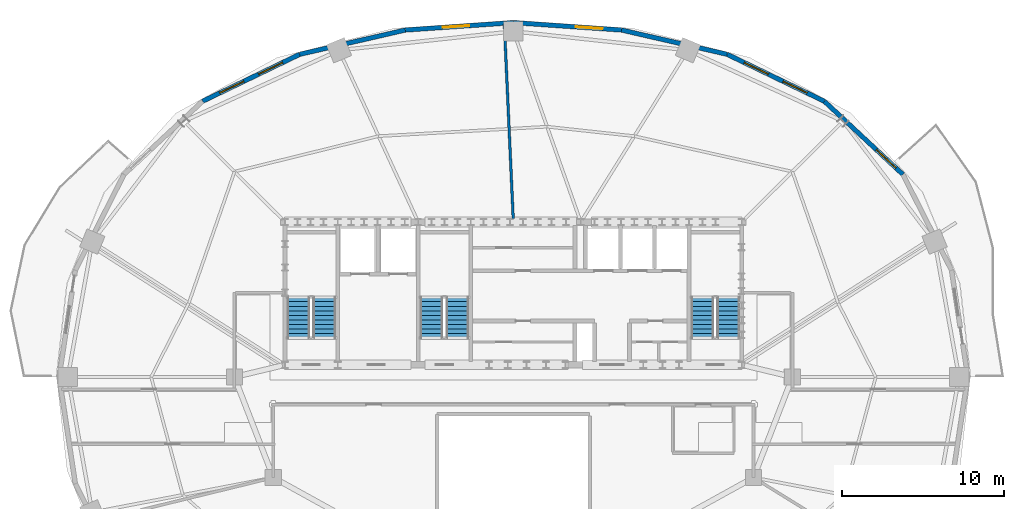
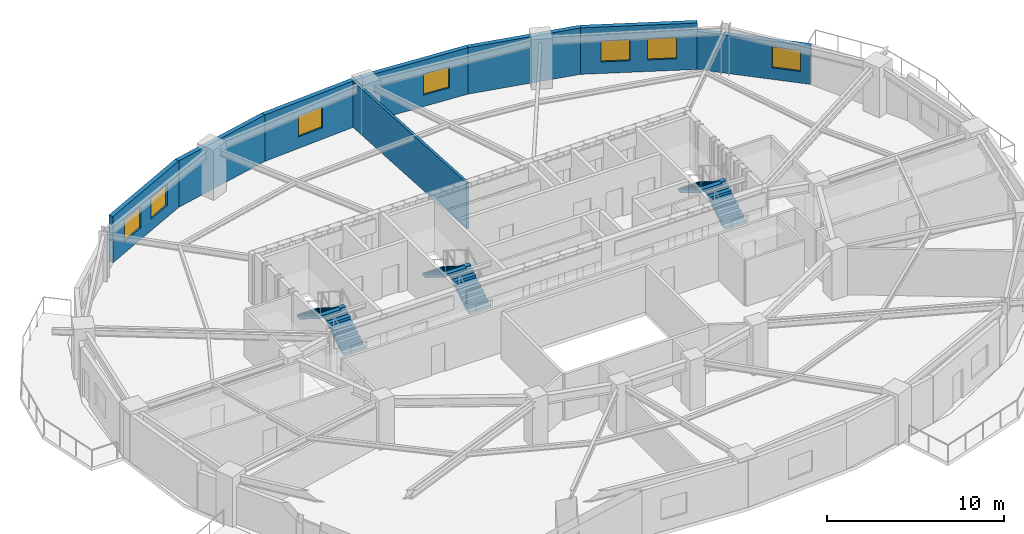
# One storey, part 6 of 11: 8 walls, 7 windows, 6 stair flights, 7 openings, 3 elements without a shape of their own.
"""IFC4 building model written with IfcOpenShell, lengths in metres."""

from ifc_helpers import new_model, si_unit, direction, frame, frame_2d, origin, place, context, subcontext, project, spatial, polyline, rectangle, outline, extrude, material, layer, layer_set, type_object, element, fill, aggregate, save


model = new_model("IFC4")

# Units and contexts
model_context = context("Model", 3, precision=1e-05, world=origin(), true_north=direction((0.0, 1.0)))
body_context = subcontext(model_context, "Body", "Model", "MODEL_VIEW")
ifc_project = project(units=[si_unit("LENGTHUNIT", "METRE"), si_unit("AREAUNIT", "SQUARE_METRE"), si_unit("VOLUMEUNIT", "CUBIC_METRE"), si_unit("PLANEANGLEUNIT", "RADIAN"), si_unit("MASSUNIT", "GRAM", prefix="KILO")], contexts=[model_context])

# Site, building, storey
site_placement = place(None, origin())
site = spatial("IfcSite", under=ifc_project, at=site_placement, CompositionType="ELEMENT")
building_placement = place(site_placement, origin())
building = spatial("IfcBuilding", under=site, at=building_placement, Name="Haldorwick Loom Tower", CompositionType="ELEMENT")
storey_placement = place(building_placement, frame((0.0, 0.0, 215.199951171875)))
storey = spatial("IfcBuildingStorey", under=building, at=storey_placement, Name="L58", CompositionType="ELEMENT", Elevation=215.199951171875)

# Wall, opening, window
ifc_material_1 = material(Name="Pressed Clay Face Brick and Insulated Masonry Backup Assembly", Category="masonry")
ifc_layer_1 = layer(ifc_material_1, 0.280029296875, Name="Pressed Clay Face Brick and Insulated Masonry Backup Assembly", Category="masonry")
ifc_layer_set_1 = layer_set([ifc_layer_1], Name="Pressed Clay Face Brick and Insulated Masonry Backup Assembly")
wall_type_1 = type_object("IfcWallType", Name="ARC-WL-EXT280", PredefinedType="STANDARD", material=ifc_layer_set_1)
wall_1_placement = place(storey_placement, frame((60.005615234375, 38.4853515625, 0.0), z_axis=(0.0, 0.0, 1.0), x_axis=(-0.731833707499, 0.681483253329, 0.0)))
wall_1 = element("IfcWall", 1, at=wall_1_placement, inside=storey, type_object=wall_type_1, Name="L58 Brick Pier and Spandrel Wall 3", PredefinedType="STANDARD", context=body_context, shape_type="SweptSolid", body=[
    extrude(rectangle(XDim=6.61865234375, YDim=0.280029296875, at=frame_2d((3.309326171875, 0.0))), origin(), (0.0, 0.0, 1.0), 2.64111328125),
])
opening_1_placement = place(wall_1_placement, frame((0.58154296875, 0.0, 0.800048828125)))
opening_1 = element("IfcOpeningElement", 2, at=opening_1_placement, cuts=wall_1, Name="Opening W-01B", PredefinedType="OPENING", context=body_context, shape_type="SweptSolid", body=[
    extrude(rectangle(XDim=1.64990234375, YDim=1.449951171875, at=frame_2d((0.824951171875, 0.72509765625))), frame((0.0, 0.14990234375, 0.0), z_axis=(0.0, -1.0, 0.0), x_axis=(1.0, 0.0, 0.0)), (0.0, 0.0, 1.0), 0.300048828125),
])
ifc_material_2 = material(Name="Triple-Glazed Low-E Argon Insulated Glazing Unit", Category="glass")
window_type = type_object("IfcWindowType", Name="ARC-WIN-W165", PartitioningType="SINGLE_PANEL", PredefinedType="WINDOW", material=ifc_material_2)
window_1_placement = place(opening_1_placement, origin())
window_1 = element("IfcWindow", 3, at=window_1_placement, inside=storey, type_object=window_type, Name="L58 Deep-Set Zone 7A Window 3", OverallHeight=1.449951171875, OverallWidth=1.64990234375, PartitioningType="SINGLE_PANEL", PredefinedType="WINDOW", context=body_context, shape_type="SweptSolid", body=[
    extrude(rectangle(XDim=1.64990234375, YDim=1.449951171875, at=frame_2d((0.824951171875, 0.72509765625))), frame((0.0, 0.030029296875, 0.0), z_axis=(0.0, -1.0, 0.0), x_axis=(1.0, 0.0, 0.0)), (0.0, 0.0, 1.0), 0.06005859375),
])
fill(opening_1, window_1)

# Wall, openings, windows
wall_2_placement = place(storey_placement, frame((55.161865234375, 42.995849609375, 0.0), z_axis=(0.0, 0.0, 1.0), x_axis=(-0.900371236029, 0.435122554381, 0.0)))
wall_2 = element("IfcWall", 4, at=wall_2_placement, inside=storey, type_object=wall_type_1, Name="L58 Brick Pier and Spandrel Wall 4", PredefinedType="STANDARD", context=body_context, shape_type="SweptSolid", body=[
    extrude(rectangle(XDim=6.6533203125, YDim=0.280029296875, at=frame_2d((3.32666015625, 0.0))), origin(), (0.0, 0.0, 1.0), 3.2099609375),
])
opening_2_placement = place(wall_2_placement, frame((1.1708984375, 0.0, 0.800048828125)))
opening_2 = element("IfcOpeningElement", 5, at=opening_2_placement, cuts=wall_2, Name="Opening W-01B", PredefinedType="OPENING", context=body_context, shape_type="SweptSolid", body=[
    extrude(rectangle(XDim=1.64990234375, YDim=1.449951171875, at=frame_2d((0.824951171875, 0.72509765625))), frame((0.0, 0.14990234375, 0.0), z_axis=(0.0, -1.0, 0.0), x_axis=(1.0, 0.0, 0.0)), (0.0, 0.0, 1.0), 0.300048828125),
])
opening_3_placement = place(wall_2_placement, frame((3.832275390625, 0.0, 0.800048828125)))
opening_3 = element("IfcOpeningElement", 6, at=opening_3_placement, cuts=wall_2, Name="Opening W-01B", PredefinedType="OPENING", context=body_context, shape_type="SweptSolid", body=[
    extrude(rectangle(XDim=1.64990234375, YDim=1.449951171875, at=frame_2d((0.824951171875, 0.72509765625))), frame((0.0, 0.14990234375, 0.0), z_axis=(0.0, -1.0, 0.0), x_axis=(1.0, 0.0, 0.0)), (0.0, 0.0, 1.0), 0.300048828125),
])
window_2_placement = place(opening_2_placement, origin())
window_2 = element("IfcWindow", 7, at=window_2_placement, inside=storey, type_object=window_type, Name="L58 Deep-Set Zone 7A Window 4", OverallHeight=1.449951171875, OverallWidth=1.64990234375, PartitioningType="SINGLE_PANEL", PredefinedType="WINDOW", context=body_context, shape_type="SweptSolid", body=[
    extrude(rectangle(XDim=1.64990234375, YDim=1.449951171875, at=frame_2d((0.824951171875, 0.72509765625))), frame((0.0, 0.030029296875, 0.0), z_axis=(0.0, -1.0, 0.0), x_axis=(1.0, 0.0, 0.0)), (0.0, 0.0, 1.0), 0.06005859375),
])
fill(opening_2, window_2)
window_3_placement = place(opening_3_placement, origin())
window_3 = element("IfcWindow", 8, at=window_3_placement, inside=storey, type_object=window_type, Name="L58 Deep-Set Zone 7A Window 4", OverallHeight=1.449951171875, OverallWidth=1.64990234375, PartitioningType="SINGLE_PANEL", PredefinedType="WINDOW", context=body_context, shape_type="SweptSolid", body=[
    extrude(rectangle(XDim=1.64990234375, YDim=1.449951171875, at=frame_2d((0.824951171875, 0.72509765625))), frame((0.0, 0.030029296875, 0.0), z_axis=(0.0, -1.0, 0.0), x_axis=(1.0, 0.0, 0.0)), (0.0, 0.0, 1.0), 0.06005859375),
])
fill(opening_3, window_3)

# Wall
wall_3_placement = place(storey_placement, frame((49.17138671875, 45.890869140625, 0.0), z_axis=(0.0, 0.0, 1.0), x_axis=(-0.974557343474, 0.224138315065, 0.0)))
element("IfcWall", 9, at=wall_3_placement, inside=storey, type_object=wall_type_1, Name="L58 Brick Pier and Spandrel Wall 5", PredefinedType="STANDARD", context=body_context, shape_type="SweptSolid", body=[
    extrude(rectangle(XDim=6.676025390625, YDim=0.280029296875, at=frame_2d((3.337890625, 0.0))), origin(), (0.0, 0.0, 1.0), 3.2099609375),
])

# Wall, opening, window
wall_4_placement = place(storey_placement, frame((42.665283203125, 47.38720703125, 0.0), z_axis=(0.0, 0.0, 1.0), x_axis=(-0.99764992135, 0.068517402386, 0.0)))
wall_4 = element("IfcWall", 10, at=wall_4_placement, inside=storey, type_object=wall_type_1, Name="L58 Brick Pier and Spandrel Wall 6", PredefinedType="STANDARD", context=body_context, shape_type="SweptSolid", body=[
    extrude(rectangle(XDim=6.680908203125, YDim=0.280029296875, at=frame_2d((3.34033203125, 0.0))), origin(), (0.0, 0.0, 1.0), 3.2099609375),
])
opening_4_placement = place(wall_4_placement, frame((1.17919921875, 0.0, 0.800048828125)))
opening_4 = element("IfcOpeningElement", 11, at=opening_4_placement, cuts=wall_4, Name="Opening W-01B", PredefinedType="OPENING", context=body_context, shape_type="SweptSolid", body=[
    extrude(rectangle(XDim=1.64990234375, YDim=1.449951171875, at=frame_2d((0.824951171875, 0.72509765625))), frame((0.0, 0.14990234375, 0.0), z_axis=(0.0, -1.0, 0.0), x_axis=(1.0, 0.0, 0.0)), (0.0, 0.0, 1.0), 0.300048828125),
])
window_4_placement = place(opening_4_placement, origin())
window_4 = element("IfcWindow", 12, at=window_4_placement, inside=storey, type_object=window_type, Name="L58 Deep-Set Zone 7A Window 6", OverallHeight=1.449951171875, OverallWidth=1.64990234375, PartitioningType="SINGLE_PANEL", PredefinedType="WINDOW", context=body_context, shape_type="SweptSolid", body=[
    extrude(rectangle(XDim=1.64990234375, YDim=1.449951171875, at=frame_2d((0.824951171875, 0.72509765625))), frame((0.0, 0.030029296875, 0.0), z_axis=(0.0, -1.0, 0.0), x_axis=(1.0, 0.0, 0.0)), (0.0, 0.0, 1.0), 0.06005859375),
])
fill(opening_4, window_4)

wall_5_placement = place(storey_placement, frame((36.0, 47.844970703125, 0.0), z_axis=(0.0, 0.0, 1.0), x_axis=(-0.99764992135, -0.068517402386, 0.0)))
wall_5 = element("IfcWall", 13, at=wall_5_placement, inside=storey, type_object=wall_type_1, Name="L58 Brick Pier and Spandrel Wall 7", PredefinedType="STANDARD", context=body_context, shape_type="SweptSolid", body=[
    extrude(rectangle(XDim=6.680908203125, YDim=0.280029296875, at=frame_2d((3.34033203125, 0.0))), origin(), (0.0, 0.0, 1.0), 3.2099609375),
])
opening_5_placement = place(wall_5_placement, frame((2.72412109375, 0.0, 0.800048828125)))
opening_5 = element("IfcOpeningElement", 14, at=opening_5_placement, cuts=wall_5, Name="Opening W-01B", PredefinedType="OPENING", context=body_context, shape_type="SweptSolid", body=[
    extrude(rectangle(XDim=1.64990234375, YDim=1.449951171875, at=frame_2d((0.824951171875, 0.72509765625))), frame((0.0, 0.14990234375, 0.0), z_axis=(0.0, -1.0, 0.0), x_axis=(1.0, 0.0, 0.0)), (0.0, 0.0, 1.0), 0.300048828125),
])
window_5_placement = place(opening_5_placement, origin())
window_5 = element("IfcWindow", 15, at=window_5_placement, inside=storey, type_object=window_type, Name="L58 Deep-Set Zone 7A Window 7", OverallHeight=1.449951171875, OverallWidth=1.64990234375, PartitioningType="SINGLE_PANEL", PredefinedType="WINDOW", context=body_context, shape_type="SweptSolid", body=[
    extrude(rectangle(XDim=1.64990234375, YDim=1.449951171875, at=frame_2d((0.824951171875, 0.72509765625))), frame((0.0, 0.030029296875, 0.0), z_axis=(0.0, -1.0, 0.0), x_axis=(1.0, 0.0, 0.0)), (0.0, 0.0, 1.0), 0.06005859375),
])
fill(opening_5, window_5)

# Wall
wall_6_placement = place(storey_placement, frame((29.334716796875, 47.38720703125, 0.0), z_axis=(0.0, 0.0, 1.0), x_axis=(-0.974557343474, -0.224138315065, 0.0)))
element("IfcWall", 16, at=wall_6_placement, inside=storey, type_object=wall_type_1, Name="L58 Brick Pier and Spandrel Wall 8", PredefinedType="STANDARD", context=body_context, shape_type="SweptSolid", body=[
    extrude(rectangle(XDim=6.676025390625, YDim=0.280029296875, at=frame_2d((3.337890625, 0.0))), origin(), (0.0, 0.0, 1.0), 3.2099609375),
])

# Wall, openings, windows
wall_7_placement = place(storey_placement, frame((22.82861328125, 45.890869140625, 0.0), z_axis=(0.0, 0.0, 1.0), x_axis=(-0.900371236029, -0.435122554381, 0.0)))
wall_7 = element("IfcWall", 17, at=wall_7_placement, inside=storey, type_object=wall_type_1, Name="L58 Brick Pier and Spandrel Wall 9", PredefinedType="STANDARD", context=body_context, shape_type="SweptSolid", body=[
    extrude(rectangle(XDim=6.6533203125, YDim=0.280029296875, at=frame_2d((3.32666015625, 0.0))), origin(), (0.0, 0.0, 1.0), 3.2099609375),
])
opening_6_placement = place(wall_7_placement, frame((1.1708984375, 0.0, 0.800048828125)))
opening_6 = element("IfcOpeningElement", 18, at=opening_6_placement, cuts=wall_7, Name="Opening W-01B", PredefinedType="OPENING", context=body_context, shape_type="SweptSolid", body=[
    extrude(rectangle(XDim=1.64990234375, YDim=1.449951171875, at=frame_2d((0.824951171875, 0.72509765625))), frame((0.0, 0.14990234375, 0.0), z_axis=(0.0, -1.0, 0.0), x_axis=(1.0, 0.0, 0.0)), (0.0, 0.0, 1.0), 0.300048828125),
])
opening_7_placement = place(wall_7_placement, frame((3.832275390625, 0.0, 0.800048828125)))
opening_7 = element("IfcOpeningElement", 19, at=opening_7_placement, cuts=wall_7, Name="Opening W-01B", PredefinedType="OPENING", context=body_context, shape_type="SweptSolid", body=[
    extrude(rectangle(XDim=1.64990234375, YDim=1.449951171875, at=frame_2d((0.824951171875, 0.72509765625))), frame((0.0, 0.14990234375, 0.0), z_axis=(0.0, -1.0, 0.0), x_axis=(1.0, 0.0, 0.0)), (0.0, 0.0, 1.0), 0.300048828125),
])
window_6_placement = place(opening_6_placement, origin())
window_6 = element("IfcWindow", 20, at=window_6_placement, inside=storey, type_object=window_type, Name="L58 Deep-Set Zone 7A Window 9", OverallHeight=1.449951171875, OverallWidth=1.64990234375, PartitioningType="SINGLE_PANEL", PredefinedType="WINDOW", context=body_context, shape_type="SweptSolid", body=[
    extrude(rectangle(XDim=1.64990234375, YDim=1.449951171875, at=frame_2d((0.824951171875, 0.72509765625))), frame((0.0, 0.030029296875, 0.0), z_axis=(0.0, -1.0, 0.0), x_axis=(1.0, 0.0, 0.0)), (0.0, 0.0, 1.0), 0.06005859375),
])
fill(opening_6, window_6)
window_7_placement = place(opening_7_placement, origin())
window_7 = element("IfcWindow", 21, at=window_7_placement, inside=storey, type_object=window_type, Name="L58 Deep-Set Zone 7A Window 9", OverallHeight=1.449951171875, OverallWidth=1.64990234375, PartitioningType="SINGLE_PANEL", PredefinedType="WINDOW", context=body_context, shape_type="SweptSolid", body=[
    extrude(rectangle(XDim=1.64990234375, YDim=1.449951171875, at=frame_2d((0.824951171875, 0.72509765625))), frame((0.0, 0.030029296875, 0.0), z_axis=(0.0, -1.0, 0.0), x_axis=(1.0, 0.0, 0.0)), (0.0, 0.0, 1.0), 0.06005859375),
])
fill(opening_7, window_7)

# Wall
ifc_material_3 = material(Name="Fire-Rated Type X Gypsum Stud Assembly EI 60")
ifc_layer_2 = layer(ifc_material_3, 0.159912109375, Name="Fire-Rated Type X Gypsum Stud Assembly EI 60")
ifc_layer_set_2 = layer_set([ifc_layer_2], Name="Fire-Rated Type X Gypsum Stud Assembly EI 60")
wall_type_2 = type_object("IfcWallType", Name="ARC-WL-FIRE160", PredefinedType="PARTITIONING", material=ifc_layer_set_2)
wall_8_placement = place(storey_placement, frame((35.986083984375, 35.7529296875, 0.0), z_axis=(0.0, 0.0, 1.0), x_axis=(-0.045595599454, 0.998959979834, 0.0)))
element("IfcWall", 22, at=wall_8_placement, inside=storey, type_object=wall_type_2, Name="L58 Residential Fire Partition L58-UPN-C3", PredefinedType="PARTITIONING", context=body_context, shape_type="SweptSolid", body=[
    extrude(rectangle(XDim=12.020751953125, YDim=0.159912109375, at=frame_2d((6.01025390625, 0.0))), origin(), (0.0, 0.0, 1.0), 3.195068359375),
])

# Stair, stair flights
ifc_material_4 = material(Name="Concrete C40 (40 MPa)", Category="concrete")
stair_type = type_object("IfcStairType", Name="STR-STR-CORE", PredefinedType="HALF_TURN_STAIR", material=ifc_material_4)
stair_1_placement = place(storey_placement, origin())
stair_1 = element("IfcStair", 23, at=stair_1_placement, inside=storey, type_object=stair_type, Name="L58 Exit Stair ST-01", PredefinedType="HALF_TURN_STAIR")
stair_flight_type = type_object("IfcStairFlightType", Name="STR-STF-1250", PredefinedType="STRAIGHT", material=ifc_material_4)
stair_flight_1_placement = place(storey_placement, frame((24.35009765625, 28.39990234375, 0.0), z_axis=(0.0, 0.0, 1.0), x_axis=(0.0, 1.0, 0.0)))
stair_flight_1 = element("IfcStairFlight", 24, at=stair_flight_1_placement, type_object=stair_flight_type, Name="ST-01 flight 1", NumberOfRisers=10, NumberOfTreads=9, PredefinedType="STRAIGHT", RiserHeight=0.1725, TreadLength=0.28, context=body_context, shape_type="SweptSolid", body=[
    extrude(outline(polyline([(0.0, 0.0), (0.0, 0.172607421875), (0.280029296875, 0.172607421875), (0.280029296875, 0.344970703125), (0.56005859375, 0.344970703125), (0.56005859375, 0.517578125), (0.840087890625, 0.517578125), (0.840087890625, 0.68994140625), (1.1201171875, 0.68994140625), (1.1201171875, 0.862548828125), (1.39990234375, 0.862548828125), (1.39990234375, 1.034912109375), (1.679931640625, 1.034912109375), (1.679931640625, 1.20751953125), (1.9599609375, 1.20751953125), (1.9599609375, 1.3798828125), (2.239990234375, 1.3798828125), (2.239990234375, 1.552490234375), (2.52001953125, 1.552490234375), (2.52001953125, 1.72509765625), (2.52001953125, 1.37646484375), (0.285888671875, 0.0), (0.0, 0.0)])), frame((0.0, 0.699951171875, 0.0), z_axis=(0.0, -1.0, 0.0), x_axis=(1.0, 0.0, 0.0)), (0.0, 0.0, 1.0), 1.39990234375),
])
stair_flight_2_placement = place(storey_placement, frame((22.75, 30.919921875, 1.72509765625), z_axis=(0.0, 0.0, 1.0), x_axis=(0.0, -1.0, 0.0)))
stair_flight_2 = element("IfcStairFlight", 25, at=stair_flight_2_placement, type_object=stair_flight_type, Name="ST-01 flight 2", NumberOfRisers=10, NumberOfTreads=9, PredefinedType="STRAIGHT", RiserHeight=0.1725, TreadLength=0.28, context=body_context, shape_type="SweptSolid", body=[
    extrude(outline(polyline([(0.0, 0.0), (0.0, 0.172607421875), (0.280029296875, 0.172607421875), (0.280029296875, 0.344970703125), (0.56005859375, 0.344970703125), (0.56005859375, 0.517578125), (0.840087890625, 0.517578125), (0.840087890625, 0.68994140625), (1.1201171875, 0.68994140625), (1.1201171875, 0.862548828125), (1.39990234375, 0.862548828125), (1.39990234375, 1.034912109375), (1.679931640625, 1.034912109375), (1.679931640625, 1.20751953125), (1.9599609375, 1.20751953125), (1.9599609375, 1.3798828125), (2.239990234375, 1.3798828125), (2.239990234375, 1.552490234375), (2.52001953125, 1.552490234375), (2.52001953125, 1.72509765625), (2.52001953125, 1.37646484375), (0.285888671875, 0.0), (0.0, 0.0)])), frame((0.0, 0.699951171875, 0.0), z_axis=(0.0, -1.0, 0.0), x_axis=(1.0, 0.0, 0.0)), (0.0, 0.0, 1.0), 1.39990234375),
])
aggregate(stair_1, [stair_flight_1, stair_flight_2])

stair_2_placement = place(storey_placement, origin())
stair_2 = element("IfcStair", 26, at=stair_2_placement, inside=storey, type_object=stair_type, Name="L58 Exit Stair ST-02", PredefinedType="HALF_TURN_STAIR")
stair_flight_3_placement = place(storey_placement, frame((49.25, 28.39990234375, 0.0), z_axis=(0.0, 0.0, 1.0), x_axis=(0.0, 1.0, 0.0)))
stair_flight_3 = element("IfcStairFlight", 27, at=stair_flight_3_placement, type_object=stair_flight_type, Name="ST-02 flight 1", NumberOfRisers=10, NumberOfTreads=9, PredefinedType="STRAIGHT", RiserHeight=0.1725, TreadLength=0.28, context=body_context, shape_type="SweptSolid", body=[
    extrude(outline(polyline([(0.0, 0.0), (0.0, 0.172607421875), (0.280029296875, 0.172607421875), (0.280029296875, 0.344970703125), (0.56005859375, 0.344970703125), (0.56005859375, 0.517578125), (0.840087890625, 0.517578125), (0.840087890625, 0.68994140625), (1.1201171875, 0.68994140625), (1.1201171875, 0.862548828125), (1.39990234375, 0.862548828125), (1.39990234375, 1.034912109375), (1.679931640625, 1.034912109375), (1.679931640625, 1.20751953125), (1.9599609375, 1.20751953125), (1.9599609375, 1.3798828125), (2.239990234375, 1.3798828125), (2.239990234375, 1.552490234375), (2.52001953125, 1.552490234375), (2.52001953125, 1.72509765625), (2.52001953125, 1.37646484375), (0.285888671875, 0.0), (0.0, 0.0)])), frame((0.0, 0.699951171875, 0.0), z_axis=(0.0, -1.0, 0.0), x_axis=(1.0, 0.0, 0.0)), (0.0, 0.0, 1.0), 1.39990234375),
])
stair_flight_4_placement = place(storey_placement, frame((47.64990234375, 30.919921875, 1.72509765625), z_axis=(0.0, 0.0, 1.0), x_axis=(0.0, -1.0, 0.0)))
stair_flight_4 = element("IfcStairFlight", 28, at=stair_flight_4_placement, type_object=stair_flight_type, Name="ST-02 flight 2", NumberOfRisers=10, NumberOfTreads=9, PredefinedType="STRAIGHT", RiserHeight=0.1725, TreadLength=0.28, context=body_context, shape_type="SweptSolid", body=[
    extrude(outline(polyline([(0.0, 0.0), (0.0, 0.172607421875), (0.280029296875, 0.172607421875), (0.280029296875, 0.344970703125), (0.56005859375, 0.344970703125), (0.56005859375, 0.517578125), (0.840087890625, 0.517578125), (0.840087890625, 0.68994140625), (1.1201171875, 0.68994140625), (1.1201171875, 0.862548828125), (1.39990234375, 0.862548828125), (1.39990234375, 1.034912109375), (1.679931640625, 1.034912109375), (1.679931640625, 1.20751953125), (1.9599609375, 1.20751953125), (1.9599609375, 1.3798828125), (2.239990234375, 1.3798828125), (2.239990234375, 1.552490234375), (2.52001953125, 1.552490234375), (2.52001953125, 1.72509765625), (2.52001953125, 1.37646484375), (0.285888671875, 0.0), (0.0, 0.0)])), frame((0.0, 0.699951171875, 0.0), z_axis=(0.0, -1.0, 0.0), x_axis=(1.0, 0.0, 0.0)), (0.0, 0.0, 1.0), 1.39990234375),
])
aggregate(stair_2, [stair_flight_3, stair_flight_4])

stair_3_placement = place(storey_placement, origin())
stair_3 = element("IfcStair", 29, at=stair_3_placement, inside=storey, type_object=stair_type, Name="L58 Exit Stair ST-03", PredefinedType="HALF_TURN_STAIR")
stair_flight_5_placement = place(storey_placement, frame((32.550048828125, 28.39990234375, 0.0), z_axis=(0.0, 0.0, 1.0), x_axis=(0.0, 1.0, 0.0)))
stair_flight_5 = element("IfcStairFlight", 30, at=stair_flight_5_placement, type_object=stair_flight_type, Name="ST-03 flight 1", NumberOfRisers=10, NumberOfTreads=9, PredefinedType="STRAIGHT", RiserHeight=0.1725, TreadLength=0.28, context=body_context, shape_type="SweptSolid", body=[
    extrude(outline(polyline([(0.0, 0.0), (0.0, 0.172607421875), (0.280029296875, 0.172607421875), (0.280029296875, 0.344970703125), (0.56005859375, 0.344970703125), (0.56005859375, 0.517578125), (0.840087890625, 0.517578125), (0.840087890625, 0.68994140625), (1.1201171875, 0.68994140625), (1.1201171875, 0.862548828125), (1.39990234375, 0.862548828125), (1.39990234375, 1.034912109375), (1.679931640625, 1.034912109375), (1.679931640625, 1.20751953125), (1.9599609375, 1.20751953125), (1.9599609375, 1.3798828125), (2.239990234375, 1.3798828125), (2.239990234375, 1.552490234375), (2.52001953125, 1.552490234375), (2.52001953125, 1.72509765625), (2.52001953125, 1.37646484375), (0.285888671875, 0.0), (0.0, 0.0)])), frame((0.0, 0.699951171875, 0.0), z_axis=(0.0, -1.0, 0.0), x_axis=(1.0, 0.0, 0.0)), (0.0, 0.0, 1.0), 1.39990234375),
])
stair_flight_6_placement = place(storey_placement, frame((30.949951171875, 30.919921875, 1.72509765625), z_axis=(0.0, 0.0, 1.0), x_axis=(0.0, -1.0, 0.0)))
stair_flight_6 = element("IfcStairFlight", 31, at=stair_flight_6_placement, type_object=stair_flight_type, Name="ST-03 flight 2", NumberOfRisers=10, NumberOfTreads=9, PredefinedType="STRAIGHT", RiserHeight=0.1725, TreadLength=0.28, context=body_context, shape_type="SweptSolid", body=[
    extrude(outline(polyline([(0.0, 0.0), (0.0, 0.172607421875), (0.280029296875, 0.172607421875), (0.280029296875, 0.344970703125), (0.56005859375, 0.344970703125), (0.56005859375, 0.517578125), (0.840087890625, 0.517578125), (0.840087890625, 0.68994140625), (1.1201171875, 0.68994140625), (1.1201171875, 0.862548828125), (1.39990234375, 0.862548828125), (1.39990234375, 1.034912109375), (1.679931640625, 1.034912109375), (1.679931640625, 1.20751953125), (1.9599609375, 1.20751953125), (1.9599609375, 1.3798828125), (2.239990234375, 1.3798828125), (2.239990234375, 1.552490234375), (2.52001953125, 1.552490234375), (2.52001953125, 1.72509765625), (2.52001953125, 1.37646484375), (0.285888671875, 0.0), (0.0, 0.0)])), frame((0.0, 0.699951171875, 0.0), z_axis=(0.0, -1.0, 0.0), x_axis=(1.0, 0.0, 0.0)), (0.0, 0.0, 1.0), 1.39990234375),
])
aggregate(stair_3, [stair_flight_5, stair_flight_6])

save(model, "model.ifc")
